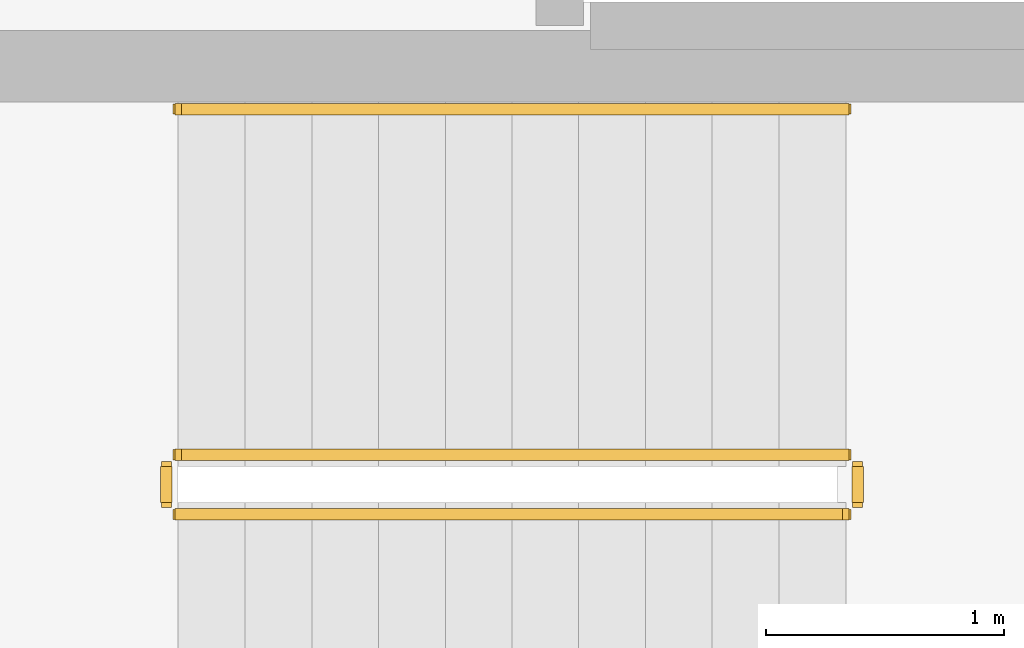
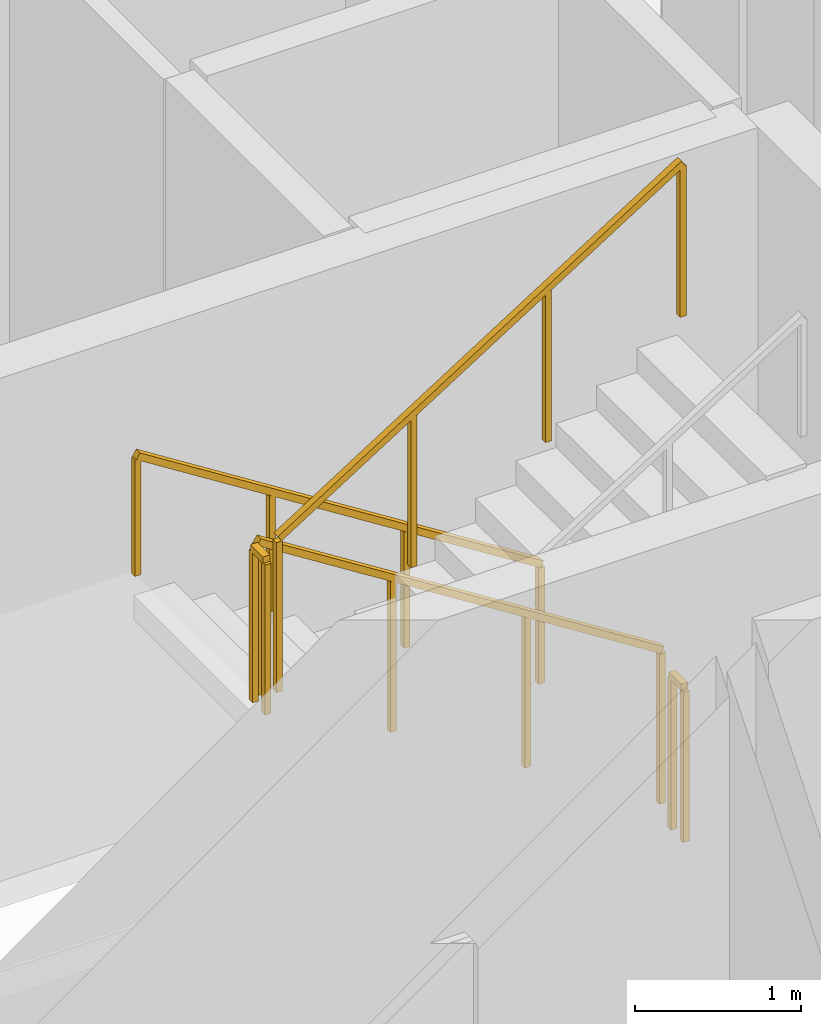
# One storey, part 9 of 12: 5 railings.
"""IFC4 building model written with IfcOpenShell, lengths in metres."""

from ifc_helpers import new_model, si_unit, direction, frame, origin, origin_2d, place, context, subcontext, project, spatial, rectangle, extrude, material, type_object, element, save


model = new_model("IFC4")

# Units and contexts
model_context = context("Model", 3, precision=1e-05, world=origin(), true_north=direction((0.0, 1.0)))
body_context = subcontext(model_context, "Body", "Model", "MODEL_VIEW")
ifc_project = project(units=[si_unit("LENGTHUNIT", "METRE"), si_unit("AREAUNIT", "SQUARE_METRE"), si_unit("VOLUMEUNIT", "CUBIC_METRE"), si_unit("PLANEANGLEUNIT", "RADIAN"), si_unit("MASSUNIT", "GRAM", prefix="KILO")], contexts=[model_context])

# Site, building, storey
site_placement = place(None, origin())
site = spatial("IfcSite", under=ifc_project, at=site_placement, CompositionType="ELEMENT")
building_placement = place(site_placement, origin())
building = spatial("IfcBuilding", under=site, at=building_placement, Name="Mawjaban Terraces University", CompositionType="ELEMENT")
storey_placement = place(building_placement, frame((0.0, 0.0, 134.60009765625)))
storey = spatial("IfcBuildingStorey", under=building, at=storey_placement, Name="L32", CompositionType="ELEMENT", Elevation=134.60009765625)

# Railings
ifc_material_1 = material(Name="Brushed stainless steel 316", Category="steel")
railing_type_1 = type_object("IfcRailingType", Name="StairWallHandrail_900", PredefinedType="HANDRAIL", material=ifc_material_1)
railing_1_placement = place(storey_placement, frame((30.050048828125, 18.800048828125, 0.17724609375)))
element("IfcRailing", 1, at=railing_1_placement, inside=storey, type_object=railing_type_1, Name="L32 ST-2 stair handrail 1", PredefinedType="HANDRAIL", context=body_context, shape_type="SweptSolid", body=[
    extrude(rectangle(XDim=0.048095703125, YDim=0.048095703125, at=origin_2d()), frame((0.0, 0.0, 0.8759765625), z_axis=(-0.844908973607, 0.0, 0.534910110503), x_axis=(0.0, -1.0, 0.0)), (0.0, 0.0, 1.0), 3.31396484375),
    extrude(rectangle(XDim=0.0419921875, YDim=0.0419921875, at=origin_2d()), origin(), (0.0, 0.0, 1.0), 0.851806640625),
    extrude(rectangle(XDim=0.0419921875, YDim=0.0419921875, at=origin_2d()), frame((-0.933349609375, 0.0, 0.5908203125)), (0.0, 0.0, 1.0), 0.851806640625),
    extrude(rectangle(XDim=0.0419921875, YDim=0.0419921875, at=origin_2d()), frame((-1.86669921875, 0.0, 1.181884765625)), (0.0, 0.0, 1.0), 0.851806640625),
    extrude(rectangle(XDim=0.0419921875, YDim=0.0419921875, at=origin_2d()), frame((-2.800048828125, 0.0, 1.772705078125)), (0.0, 0.0, 1.0), 0.851806640625),
])
ifc_material_2 = material(Name="Galvanised painted steel S355", Category="steel")
railing_type_2 = type_object("IfcRailingType", Name="StairWellGuard_1150", PredefinedType="BALUSTRADE", material=ifc_material_2)
railing_2_placement = place(storey_placement, frame((30.050048828125, 17.35009765625, 0.17724609375)))
element("IfcRailing", 2, at=railing_2_placement, inside=storey, type_object=railing_type_2, Name="L32 ST-2 stair guard 1", PredefinedType="BALUSTRADE", context=body_context, shape_type="SweptSolid", body=[
    extrude(rectangle(XDim=0.048095703125, YDim=0.048095703125, at=origin_2d()), frame((0.0, 0.0, 1.1259765625), z_axis=(-0.844908973607, 0.0, 0.534910110503), x_axis=(0.0, -1.0, 0.0)), (0.0, 0.0, 1.0), 3.31396484375),
    extrude(rectangle(XDim=0.0419921875, YDim=0.0419921875, at=origin_2d()), origin(), (0.0, 0.0, 1.0), 1.101806640625),
    extrude(rectangle(XDim=0.0419921875, YDim=0.0419921875, at=origin_2d()), frame((-0.933349609375, 0.0, 0.5908203125)), (0.0, 0.0, 1.0), 1.101806640625),
    extrude(rectangle(XDim=0.0419921875, YDim=0.0419921875, at=origin_2d()), frame((-1.86669921875, 0.0, 1.181884765625)), (0.0, 0.0, 1.0), 1.101806640625),
    extrude(rectangle(XDim=0.0419921875, YDim=0.0419921875, at=origin_2d()), frame((-2.800048828125, 0.0, 1.772705078125)), (0.0, 0.0, 1.0), 1.101806640625),
])
railing_3_placement = place(storey_placement, frame((27.199951171875, 17.300048828125, 1.949951171875)))
element("IfcRailing", 3, at=railing_3_placement, inside=storey, type_object=railing_type_2, Name="L32 ST-2 stair guard 2", PredefinedType="BALUSTRADE", context=body_context, shape_type="SweptSolid", body=[
    extrude(rectangle(XDim=0.048095703125, YDim=0.048095703125, at=origin_2d()), frame((0.0, 0.0, 1.1259765625), z_axis=(0.0, -1.0, 0.0), x_axis=(1.0, 0.0, 0.0)), (0.0, 0.0, 1.0), 0.150146484375),
    extrude(rectangle(XDim=0.0419921875, YDim=0.0419921875, at=origin_2d()), origin(), (0.0, 0.0, 1.0), 1.101806640625),
    extrude(rectangle(XDim=0.0419921875, YDim=0.0419921875, at=origin_2d()), frame((0.0, -0.150146484375, 0.0)), (0.0, 0.0, 1.0), 1.101806640625),
])
railing_4_placement = place(storey_placement, frame((27.25, 17.10009765625, 2.127197265625)))
element("IfcRailing", 4, at=railing_4_placement, inside=storey, type_object=railing_type_2, Name="L32 ST-2 stair guard 3", PredefinedType="BALUSTRADE", context=body_context, shape_type="SweptSolid", body=[
    extrude(rectangle(XDim=0.048095703125, YDim=0.048095703125, at=origin_2d()), frame((0.0, 0.0, 1.1259765625), z_axis=(0.844908973607, 0.0, 0.534910110503), x_axis=(0.0, 1.0, 0.0)), (0.0, 0.0, 1.0), 3.31396484375),
    extrude(rectangle(XDim=0.0419921875, YDim=0.0419921875, at=origin_2d()), origin(), (0.0, 0.0, 1.0), 1.101806640625),
    extrude(rectangle(XDim=0.0419921875, YDim=0.0419921875, at=origin_2d()), frame((0.933349609375, 0.0, 0.5908203125)), (0.0, 0.0, 1.0), 1.101806640625),
    extrude(rectangle(XDim=0.0419921875, YDim=0.0419921875, at=origin_2d()), frame((1.86669921875, 0.0, 1.181884765625)), (0.0, 0.0, 1.0), 1.101806640625),
    extrude(rectangle(XDim=0.0419921875, YDim=0.0419921875, at=origin_2d()), frame((2.800048828125, 0.0, 1.772705078125)), (0.0, 0.0, 1.0), 1.101806640625),
])
railing_5_placement = place(storey_placement, frame((30.10009765625, 17.300048828125, 0.0)))
element("IfcRailing", 5, at=railing_5_placement, inside=storey, type_object=railing_type_2, Name="L32 ST-2 stair guard 4", PredefinedType="BALUSTRADE", context=body_context, shape_type="SweptSolid", body=[
    extrude(rectangle(XDim=0.048095703125, YDim=0.048095703125, at=origin_2d()), frame((0.0, 0.0, 1.1259765625), z_axis=(0.0, -1.0, 0.0), x_axis=(1.0, 0.0, 0.0)), (0.0, 0.0, 1.0), 0.150146484375),
    extrude(rectangle(XDim=0.0419921875, YDim=0.0419921875, at=origin_2d()), origin(), (0.0, 0.0, 1.0), 1.101806640625),
    extrude(rectangle(XDim=0.0419921875, YDim=0.0419921875, at=origin_2d()), frame((0.0, -0.150146484375, 0.0)), (0.0, 0.0, 1.0), 1.101806640625),
])

save(model, "model.ifc")
